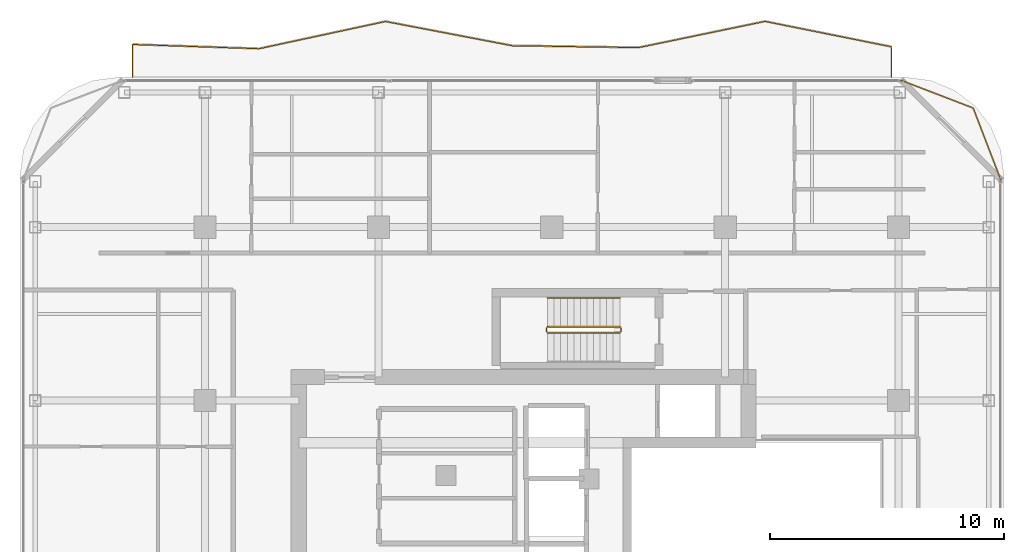
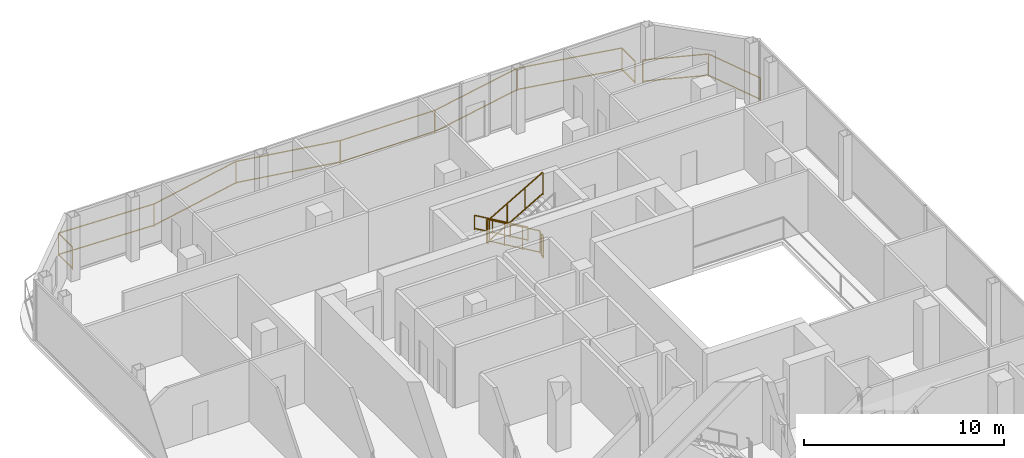
# One storey, part 22 of 22: 7 railings.
"""IFC4 building model written with IfcOpenShell, lengths in metres."""

from ifc_helpers import new_model, si_unit, direction, frame, origin, origin_2d, place, context, subcontext, project, spatial, rectangle, extrude, material, type_object, element, save


model = new_model("IFC4")

# Units and contexts
model_context = context("Model", 3, precision=1e-05, world=origin(), true_north=direction((0.0, 1.0)))
body_context = subcontext(model_context, "Body", "Model", "MODEL_VIEW")
ifc_project = project(units=[si_unit("LENGTHUNIT", "METRE"), si_unit("AREAUNIT", "SQUARE_METRE"), si_unit("VOLUMEUNIT", "CUBIC_METRE"), si_unit("PLANEANGLEUNIT", "RADIAN"), si_unit("MASSUNIT", "GRAM", prefix="KILO")], contexts=[model_context])

# Site, building, storey
site_placement = place(None, origin())
site = spatial("IfcSite", under=ifc_project, at=site_placement, CompositionType="ELEMENT")
building_placement = place(site_placement, origin())
building = spatial("IfcBuilding", under=site, at=building_placement, Name="Khorvyn Point Tower", CompositionType="ELEMENT")
storey_placement = place(building_placement, frame((0.0, 0.0, 305.39990234375)))
storey = spatial("IfcBuildingStorey", under=building, at=storey_placement, Name="L75", CompositionType="ELEMENT", Elevation=305.39990234375)

# Railings
ifc_material_1 = material(Name="Anodised aluminium 6063-T6 and laminated safety glass", Category="aluminium")
railing_type_1 = type_object("IfcRailingType", Name="Laminated Glass and Aluminium Balcony Guardrail 1400", PredefinedType="BALUSTRADE", material=ifc_material_1)
railing_1_placement = place(storey_placement, frame((19.17431640625, 16.78662109375, 0.0)))
element("IfcRailing", 1, at=railing_1_placement, inside=storey, type_object=railing_type_1, Name="L75 Rounded Corner Edge Guardrail NE", PredefinedType="BALUSTRADE", context=body_context, shape_type="SweptSolid", body=[
    extrude(rectangle(XDim=0.048095703125, YDim=0.048095703125, at=origin_2d()), frame((0.0, 0.0, 1.3759765625), z_axis=(-0.358328295484, 0.933595647299, 0.0), x_axis=(-0.933595647299, -0.358328295484, 0.0)), (0.0, 0.0, 1.0), 3.31884765625),
    extrude(rectangle(XDim=0.048095703125, YDim=0.048095703125, at=origin_2d()), frame((0.0, 0.0, 0.080078125), z_axis=(-0.358328295484, 0.933595647299, 0.0), x_axis=(-0.933595647299, -0.358328295484, 0.0)), (0.0, 0.0, 1.0), 3.31884765625),
    extrude(rectangle(XDim=0.048095703125, YDim=0.048095703125, at=origin_2d()), frame((-1.189208984375, 3.098388671875, 1.3759765625), z_axis=(-0.933580483903, 0.358367799998, 0.0), x_axis=(-0.358367799998, -0.933580483903, 0.0)), (0.0, 0.0, 1.0), 3.319091796875),
    extrude(rectangle(XDim=0.048095703125, YDim=0.048095703125, at=origin_2d()), frame((-1.189208984375, 3.098388671875, 0.080078125), z_axis=(-0.933580483903, 0.358367799998, 0.0), x_axis=(-0.358367799998, -0.933580483903, 0.0)), (0.0, 0.0, 1.0), 3.319091796875),
    extrude(rectangle(XDim=0.0419921875, YDim=0.0419921875, at=origin_2d()), origin(), (0.0, 0.0, 1.0), 1.351806640625),
    extrude(rectangle(XDim=0.0419921875, YDim=0.0419921875, at=origin_2d()), frame((-1.189208984375, 3.098388671875, 0.0)), (0.0, 0.0, 1.0), 1.351806640625),
    extrude(rectangle(XDim=0.0419921875, YDim=0.0419921875, at=origin_2d()), frame((-4.287841796875, 4.287841796875, 0.0)), (0.0, 0.0, 1.0), 1.351806640625),
])
railing_2_placement = place(storey_placement, frame((14.5, 21.199951171875, 0.0)))
element("IfcRailing", 2, at=railing_2_placement, inside=storey, type_object=railing_type_1, Name="L75 North Balcony Guardrail", PredefinedType="BALUSTRADE", context=body_context, shape_type="SweptSolid", body=[
    extrude(rectangle(XDim=0.048095703125, YDim=0.048095703125, at=origin_2d()), frame((0.0, 0.0, 1.3759765625), z_axis=(0.0, 1.0, 0.0), x_axis=(-1.0, 0.0, 0.0)), (0.0, 0.0, 1.0), 1.295166015625),
    extrude(rectangle(XDim=0.048095703125, YDim=0.048095703125, at=origin_2d()), frame((0.0, 0.0, 0.080078125), z_axis=(0.0, 1.0, 0.0), x_axis=(-1.0, 0.0, 0.0)), (0.0, 0.0, 1.0), 1.295166015625),
    extrude(rectangle(XDim=0.048095703125, YDim=0.048095703125, at=origin_2d()), frame((0.0, 1.295166015625, 1.3759765625), z_axis=(-0.980329281504, 0.197368943419, 0.0), x_axis=(-0.197368943419, -0.980329281504, 0.0)), (0.0, 0.0, 1.0), 5.50830078125),
    extrude(rectangle(XDim=0.048095703125, YDim=0.048095703125, at=origin_2d()), frame((0.0, 1.295166015625, 0.080078125), z_axis=(-0.980329281504, 0.197368943419, 0.0), x_axis=(-0.197368943419, -0.980329281504, 0.0)), (0.0, 0.0, 1.0), 5.50830078125),
    extrude(rectangle(XDim=0.048095703125, YDim=0.048095703125, at=origin_2d()), frame((-5.39990234375, 2.38232421875, 1.3759765625), z_axis=(-0.979175531991, -0.203015461355, 0.0), x_axis=(0.203015461355, -0.979175531991, 0.0)), (0.0, 0.0, 1.0), 5.514892578125),
    extrude(rectangle(XDim=0.048095703125, YDim=0.048095703125, at=origin_2d()), frame((-5.39990234375, 2.38232421875, 0.080078125), z_axis=(-0.979175531991, -0.203015461355, 0.0), x_axis=(0.203015461355, -0.979175531991, 0.0)), (0.0, 0.0, 1.0), 5.514892578125),
    extrude(rectangle(XDim=0.048095703125, YDim=0.048095703125, at=origin_2d()), frame((-10.800048828125, 1.2626953125, 1.3759765625), z_axis=(-0.999882564018, 0.015325083154, 0.0), x_axis=(-0.015325083154, -0.999882564018, 0.0)), (0.0, 0.0, 1.0), 5.400634765625),
    extrude(rectangle(XDim=0.048095703125, YDim=0.048095703125, at=origin_2d()), frame((-10.800048828125, 1.2626953125, 0.080078125), z_axis=(-0.999882564018, 0.015325083154, 0.0), x_axis=(-0.015325083154, -0.999882564018, 0.0)), (0.0, 0.0, 1.0), 5.400634765625),
    extrude(rectangle(XDim=0.048095703125, YDim=0.048095703125, at=origin_2d()), frame((-16.199951171875, 1.345458984375, 1.3759765625), z_axis=(-0.982184324224, 0.187920071437, 0.0), x_axis=(-0.187920071437, -0.982184324224, 0.0)), (0.0, 0.0, 1.0), 5.498046875),
    extrude(rectangle(XDim=0.048095703125, YDim=0.048095703125, at=origin_2d()), frame((-16.199951171875, 1.345458984375, 0.080078125), z_axis=(-0.982184324224, 0.187920071437, 0.0), x_axis=(-0.187920071437, -0.982184324224, 0.0)), (0.0, 0.0, 1.0), 5.498046875),
    extrude(rectangle(XDim=0.048095703125, YDim=0.048095703125, at=origin_2d()), frame((-21.60009765625, 2.378662109375, 1.3759765625), z_axis=(-0.977598853803, -0.210476794548, 0.0), x_axis=(0.210476794548, -0.977598853803, 0.0)), (0.0, 0.0, 1.0), 5.523681640625),
    extrude(rectangle(XDim=0.048095703125, YDim=0.048095703125, at=origin_2d()), frame((-21.60009765625, 2.378662109375, 0.080078125), z_axis=(-0.977598853803, -0.210476794548, 0.0), x_axis=(0.210476794548, -0.977598853803, 0.0)), (0.0, 0.0, 1.0), 5.523681640625),
    extrude(rectangle(XDim=0.048095703125, YDim=0.048095703125, at=origin_2d()), frame((-27.0, 1.216064453125, 1.3759765625), z_axis=(-0.999434730171, 0.033618746688, 0.0), x_axis=(-0.033618746688, -0.999434730171, 0.0)), (0.0, 0.0, 1.0), 5.403076171875),
    extrude(rectangle(XDim=0.048095703125, YDim=0.048095703125, at=origin_2d()), frame((-27.0, 1.216064453125, 0.080078125), z_axis=(-0.999434730171, 0.033618746688, 0.0), x_axis=(-0.033618746688, -0.999434730171, 0.0)), (0.0, 0.0, 1.0), 5.403076171875),
    extrude(rectangle(XDim=0.048095703125, YDim=0.048095703125, at=origin_2d()), frame((-32.39990234375, 1.397705078125, 1.3759765625), z_axis=(0.0, -1.0, 0.0), x_axis=(1.0, 0.0, 0.0)), (0.0, 0.0, 1.0), 1.397705078125),
    extrude(rectangle(XDim=0.048095703125, YDim=0.048095703125, at=origin_2d()), frame((-32.39990234375, 1.397705078125, 0.080078125), z_axis=(0.0, -1.0, 0.0), x_axis=(1.0, 0.0, 0.0)), (0.0, 0.0, 1.0), 1.397705078125),
    extrude(rectangle(XDim=0.0419921875, YDim=0.0419921875, at=origin_2d()), origin(), (0.0, 0.0, 1.0), 1.351806640625),
    extrude(rectangle(XDim=0.0419921875, YDim=0.0419921875, at=origin_2d()), frame((0.0, 1.295166015625, 0.0)), (0.0, 0.0, 1.0), 1.351806640625),
    extrude(rectangle(XDim=0.0419921875, YDim=0.0419921875, at=origin_2d()), frame((-5.39990234375, 2.38232421875, 0.0)), (0.0, 0.0, 1.0), 1.351806640625),
    extrude(rectangle(XDim=0.0419921875, YDim=0.0419921875, at=origin_2d()), frame((-10.800048828125, 1.2626953125, 0.0)), (0.0, 0.0, 1.0), 1.351806640625),
    extrude(rectangle(XDim=0.0419921875, YDim=0.0419921875, at=origin_2d()), frame((-16.199951171875, 1.345458984375, 0.0)), (0.0, 0.0, 1.0), 1.351806640625),
    extrude(rectangle(XDim=0.0419921875, YDim=0.0419921875, at=origin_2d()), frame((-21.60009765625, 2.378662109375, 0.0)), (0.0, 0.0, 1.0), 1.351806640625),
    extrude(rectangle(XDim=0.0419921875, YDim=0.0419921875, at=origin_2d()), frame((-27.0, 1.216064453125, 0.0)), (0.0, 0.0, 1.0), 1.351806640625),
    extrude(rectangle(XDim=0.0419921875, YDim=0.0419921875, at=origin_2d()), frame((-32.39990234375, 1.397705078125, 0.0)), (0.0, 0.0, 1.0), 1.351806640625),
    extrude(rectangle(XDim=0.0419921875, YDim=0.0419921875, at=origin_2d()), frame((-32.39990234375, 0.0, 0.0)), (0.0, 0.0, 1.0), 1.351806640625),
])
ifc_material_2 = material(Name="Stainless steel 1.4301", Category="steel")
railing_type_2 = type_object("IfcRailingType", Name="Stainless Steel 304 Stair Pitch Handrail 900", PredefinedType="HANDRAIL", material=ifc_material_2)
railing_3_placement = place(storey_placement, frame((2.89990234375, 11.77001953125, 0.16259765625)))
element("IfcRailing", 3, at=railing_3_placement, inside=storey, type_object=railing_type_2, Name="L75 ST-02 stair handrail 1", PredefinedType="HANDRAIL", context=body_context, shape_type="SweptSolid", body=[
    extrude(rectangle(XDim=0.048095703125, YDim=0.048095703125, at=origin_2d()), frame((0.0, 0.0, 0.8759765625), z_axis=(-0.864873446163, 0.0, 0.501989962173), x_axis=(0.0, -1.0, 0.0)), (0.0, 0.0, 1.0), 3.56103515625),
    extrude(rectangle(XDim=0.048095703125, YDim=0.048095703125, at=origin_2d()), frame((0.0, 0.0, 0.080078125), z_axis=(-0.864873446163, 0.0, 0.501989962173), x_axis=(0.0, -1.0, 0.0)), (0.0, 0.0, 1.0), 3.56103515625),
    extrude(rectangle(XDim=0.0419921875, YDim=0.0419921875, at=origin_2d()), origin(), (0.0, 0.0, 1.0), 0.851806640625),
    extrude(rectangle(XDim=0.0419921875, YDim=0.0419921875, at=origin_2d()), frame((-1.026611328125, 0.0, 0.595947265625)), (0.0, 0.0, 1.0), 0.851806640625),
    extrude(rectangle(XDim=0.0419921875, YDim=0.0419921875, at=origin_2d()), frame((-2.05322265625, 0.0, 1.191650390625)), (0.0, 0.0, 1.0), 0.851806640625),
    extrude(rectangle(XDim=0.0419921875, YDim=0.0419921875, at=origin_2d()), frame((-3.079833984375, 0.0, 1.78759765625)), (0.0, 0.0, 1.0), 0.851806640625),
])
railing_type_3 = type_object("IfcRailingType", Name="Stainless Steel 304 Stair Well Guardrail 1400", PredefinedType="GUARDRAIL", material=ifc_material_2)
railing_4_placement = place(storey_placement, frame((2.89990234375, 10.550048828125, 0.16259765625)))
element("IfcRailing", 4, at=railing_4_placement, inside=storey, type_object=railing_type_3, Name="L75 ST-02 stair guard 1", PredefinedType="GUARDRAIL", context=body_context, shape_type="SweptSolid", body=[
    extrude(rectangle(XDim=0.048095703125, YDim=0.048095703125, at=origin_2d()), frame((0.0, 0.0, 1.3759765625), z_axis=(-0.864873446163, 0.0, 0.501989962173), x_axis=(0.0, -1.0, 0.0)), (0.0, 0.0, 1.0), 3.56103515625),
    extrude(rectangle(XDim=0.048095703125, YDim=0.048095703125, at=origin_2d()), frame((0.0, 0.0, 0.080078125), z_axis=(-0.864873446163, 0.0, 0.501989962173), x_axis=(0.0, -1.0, 0.0)), (0.0, 0.0, 1.0), 3.56103515625),
    extrude(rectangle(XDim=0.0419921875, YDim=0.0419921875, at=origin_2d()), origin(), (0.0, 0.0, 1.0), 1.351806640625),
    extrude(rectangle(XDim=0.0419921875, YDim=0.0419921875, at=origin_2d()), frame((-1.026611328125, 0.0, 0.595947265625)), (0.0, 0.0, 1.0), 1.351806640625),
    extrude(rectangle(XDim=0.0419921875, YDim=0.0419921875, at=origin_2d()), frame((-2.05322265625, 0.0, 1.191650390625)), (0.0, 0.0, 1.0), 1.351806640625),
    extrude(rectangle(XDim=0.0419921875, YDim=0.0419921875, at=origin_2d()), frame((-3.079833984375, 0.0, 1.78759765625)), (0.0, 0.0, 1.0), 1.351806640625),
])
railing_5_placement = place(storey_placement, frame((-0.22998046875, 10.5, 1.9501953125)))
element("IfcRailing", 5, at=railing_5_placement, inside=storey, type_object=railing_type_3, Name="L75 ST-02 stair guard 2", PredefinedType="GUARDRAIL", context=body_context, shape_type="SweptSolid", body=[
    extrude(rectangle(XDim=0.048095703125, YDim=0.048095703125, at=origin_2d()), frame((0.0, 0.0, 1.3759765625), z_axis=(0.0, -1.0, 0.0), x_axis=(1.0, 0.0, 0.0)), (0.0, 0.0, 1.0), 0.159912109375),
    extrude(rectangle(XDim=0.048095703125, YDim=0.048095703125, at=origin_2d()), frame((0.0, 0.0, 0.080078125), z_axis=(0.0, -1.0, 0.0), x_axis=(1.0, 0.0, 0.0)), (0.0, 0.0, 1.0), 0.159912109375),
    extrude(rectangle(XDim=0.0419921875, YDim=0.0419921875, at=origin_2d()), origin(), (0.0, 0.0, 1.0), 1.351806640625),
    extrude(rectangle(XDim=0.0419921875, YDim=0.0419921875, at=origin_2d()), frame((0.0, -0.159912109375, 0.0)), (0.0, 0.0, 1.0), 1.351806640625),
])
railing_6_placement = place(storey_placement, frame((-0.179931640625, 10.2900390625, 2.112548828125)))
element("IfcRailing", 6, at=railing_6_placement, inside=storey, type_object=railing_type_3, Name="L75 ST-02 stair guard 3", PredefinedType="GUARDRAIL", context=body_context, shape_type="SweptSolid", body=[
    extrude(rectangle(XDim=0.048095703125, YDim=0.048095703125, at=origin_2d()), frame((0.0, 0.0, 1.3759765625), z_axis=(0.864873446163, 0.0, 0.501989962173), x_axis=(0.0, 1.0, 0.0)), (0.0, 0.0, 1.0), 3.56103515625),
    extrude(rectangle(XDim=0.048095703125, YDim=0.048095703125, at=origin_2d()), frame((0.0, 0.0, 0.080078125), z_axis=(0.864873446163, 0.0, 0.501989962173), x_axis=(0.0, 1.0, 0.0)), (0.0, 0.0, 1.0), 3.56103515625),
    extrude(rectangle(XDim=0.0419921875, YDim=0.0419921875, at=origin_2d()), origin(), (0.0, 0.0, 1.0), 1.351806640625),
    extrude(rectangle(XDim=0.0419921875, YDim=0.0419921875, at=origin_2d()), frame((1.026611328125, 0.0, 0.595947265625)), (0.0, 0.0, 1.0), 1.351806640625),
    extrude(rectangle(XDim=0.0419921875, YDim=0.0419921875, at=origin_2d()), frame((2.05322265625, 0.0, 1.191650390625)), (0.0, 0.0, 1.0), 1.351806640625),
    extrude(rectangle(XDim=0.0419921875, YDim=0.0419921875, at=origin_2d()), frame((3.079833984375, 0.0, 1.78759765625)), (0.0, 0.0, 1.0), 1.351806640625),
])
railing_7_placement = place(storey_placement, frame((2.949951171875, 10.5, 0.0)))
element("IfcRailing", 7, at=railing_7_placement, inside=storey, type_object=railing_type_3, Name="L75 ST-02 stair guard 4", PredefinedType="GUARDRAIL", context=body_context, shape_type="SweptSolid", body=[
    extrude(rectangle(XDim=0.048095703125, YDim=0.048095703125, at=origin_2d()), frame((0.0, 0.0, 1.3759765625), z_axis=(0.0, -1.0, 0.0), x_axis=(1.0, 0.0, 0.0)), (0.0, 0.0, 1.0), 0.159912109375),
    extrude(rectangle(XDim=0.048095703125, YDim=0.048095703125, at=origin_2d()), frame((0.0, 0.0, 0.080078125), z_axis=(0.0, -1.0, 0.0), x_axis=(1.0, 0.0, 0.0)), (0.0, 0.0, 1.0), 0.159912109375),
    extrude(rectangle(XDim=0.0419921875, YDim=0.0419921875, at=origin_2d()), origin(), (0.0, 0.0, 1.0), 1.351806640625),
    extrude(rectangle(XDim=0.0419921875, YDim=0.0419921875, at=origin_2d()), frame((0.0, -0.159912109375, 0.0)), (0.0, 0.0, 1.0), 1.351806640625),
])

save(model, "model.ifc")
